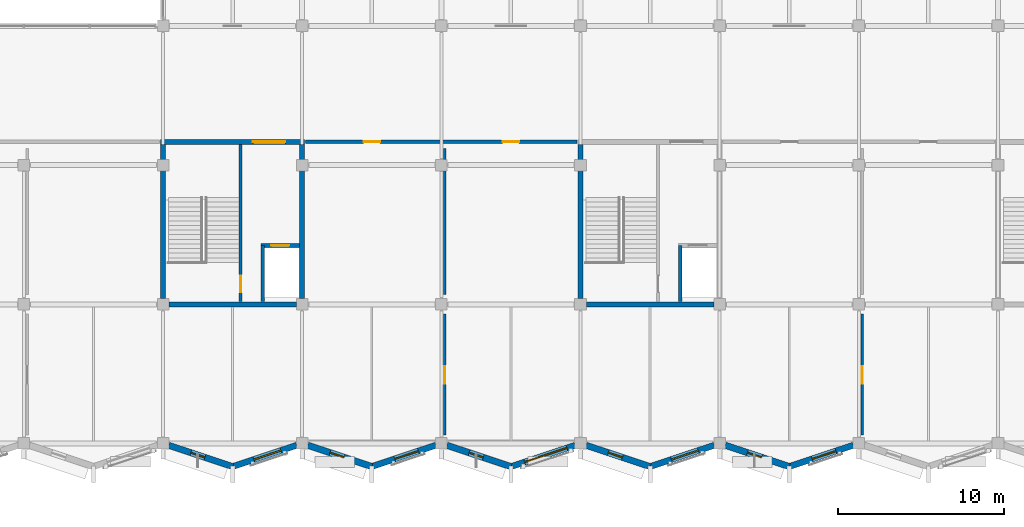
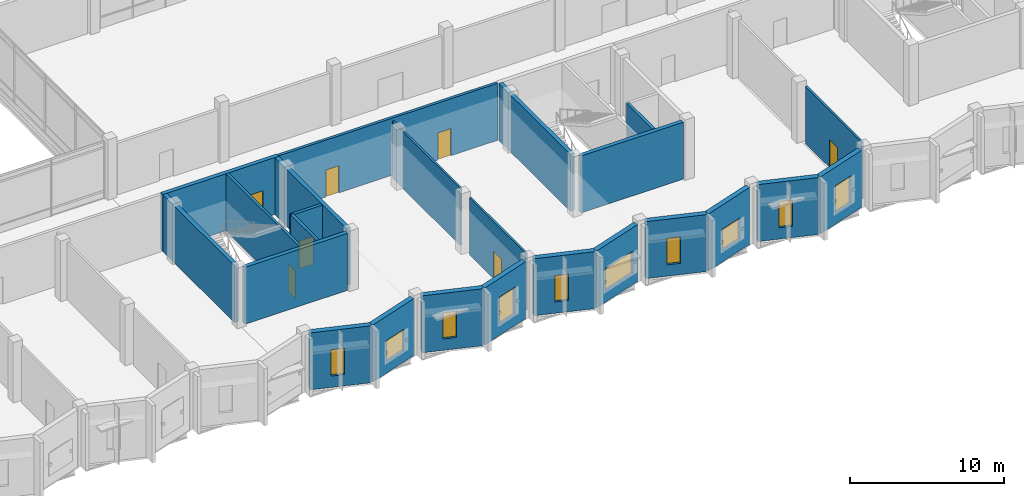
# One storey, part 85 of 110: 24 walls, 10 windows, 7 doors, 17 openings.
"""IFC4 building model written with IfcOpenShell, lengths in metres."""

from ifc_helpers import new_model, si_unit, direction, frame, frame_2d, origin, place, context, subcontext, project, spatial, rectangle, extrude, material, layer, layer_set, type_object, element, fill, save


model = new_model("IFC4")

# Units and contexts
model_context = context("Model", 3, precision=1e-05, world=origin(), true_north=direction((0.0, 1.0)))
body_context = subcontext(model_context, "Body", "Model", "MODEL_VIEW")
ifc_project = project(units=[si_unit("LENGTHUNIT", "METRE"), si_unit("AREAUNIT", "SQUARE_METRE"), si_unit("VOLUMEUNIT", "CUBIC_METRE"), si_unit("PLANEANGLEUNIT", "RADIAN"), si_unit("MASSUNIT", "GRAM", prefix="KILO")], contexts=[model_context])

# Site, building, storey
site_placement = place(None, origin())
site = spatial("IfcSite", under=ifc_project, at=site_placement, CompositionType="ELEMENT")
building_placement = place(site_placement, origin())
building = spatial("IfcBuilding", under=site, at=building_placement, Name="Qawsi Khor Wholesale Market", CompositionType="ELEMENT")
storey_placement = place(building_placement, frame((0.0, 0.0, 11.39990234375)))
storey = spatial("IfcBuildingStorey", under=building, at=storey_placement, Name="L02", CompositionType="ELEMENT", Elevation=11.39990234375)

# Walls
ifc_material_1 = material(Name="Concrete C40/50", Category="concrete")
ifc_layer_1 = layer(ifc_material_1, 0.300048828125, Name="Concrete C40/50")
ifc_layer_set_1 = layer_set([ifc_layer_1], Name="Concrete C40/50")
wall_type_1 = type_object("IfcWallType", Name="Core Shear Wall RC 300 C40/50", PredefinedType="SHEAR", material=ifc_layer_set_1)
wall_1_placement = place(storey_placement, frame((75.2451171875, 8.39990234375, 0.0), z_axis=(0.0, 0.0, 1.0), x_axis=(-1.0, 0.0, 0.0)))
element("IfcWall", 1, at=wall_1_placement, inside=storey, type_object=wall_type_1, Name="Core C02 south shear wall L02", PredefinedType="SHEAR", context=body_context, shape_type="SweptSolid", body=[
    extrude(rectangle(XDim=7.690185546875, YDim=0.300048828125, at=frame_2d((3.84521484375, 0.0))), origin(), (0.0, 0.0, 1.0), 4.52001953125),
])
wall_2_placement = place(storey_placement, frame((67.199951171875, 8.7548828125, 0.0), z_axis=(0.0, 0.0, 1.0), x_axis=(0.0, 1.0, 0.0)))
element("IfcWall", 2, at=wall_2_placement, inside=storey, type_object=wall_type_1, Name="Core C02 west shear wall L02", PredefinedType="SHEAR", context=body_context, shape_type="SweptSolid", body=[
    extrude(rectangle(XDim=9.295166015625, YDim=0.300048828125, at=frame_2d((4.6474609375, 0.0))), origin(), (0.0, 0.0, 1.0), 4.52001953125),
])

# Wall, opening, door
wall_3_placement = place(storey_placement, frame((67.050048828125, 18.199951171875, 0.0), z_axis=(0.0, 0.0, 1.0), x_axis=(1.0, 0.0, 0.0)))
wall_3 = element("IfcWall", 3, at=wall_3_placement, inside=storey, type_object=wall_type_1, Name="Core C02 north shear wall L02", PredefinedType="SHEAR", context=body_context, shape_type="SweptSolid", body=[
    extrude(rectangle(XDim=8.699951171875, YDim=0.300048828125, at=frame_2d((4.35009765625, 0.0))), origin(), (0.0, 0.0, 1.0), 4.52001953125),
])
opening_1_placement = place(wall_3_placement, frame((5.570068359375, 0.0, 0.0)))
opening_1 = element("IfcOpeningElement", 4, at=opening_1_placement, cuts=wall_3, Name="Opening ID-01", PredefinedType="OPENING", context=body_context, shape_type="SweptSolid", body=[
    extrude(rectangle(XDim=1.9599609375, YDim=2.199951171875, at=frame_2d((0.97998046875, 1.10009765625))), frame((0.0, 0.159912109375, 0.0), z_axis=(0.0, -1.0, 0.0), x_axis=(1.0, 0.0, 0.0)), (0.0, 0.0, 1.0), 0.320068359375),
])
ifc_material_2 = material(Name="Steel Fire Door", Category="steel")
door_type_1 = type_object("IfcDoorType", Name="Stair & Core Fire Door 1960x2200 FD90S", OperationType="NOTDEFINED", PredefinedType="DOOR", material=ifc_material_2)
door_1_placement = place(opening_1_placement, origin())
door_1 = element("IfcDoor", 5, at=door_1_placement, inside=storey, type_object=door_type_1, Name="Core C02 fire door L02", OperationType="DOUBLE_DOOR_SINGLE_SWING", OverallHeight=2.199951171875, OverallWidth=1.9599609375, PredefinedType="DOOR", context=body_context, shape_type="SweptSolid", body=[
    extrude(rectangle(XDim=1.9599609375, YDim=2.199951171875, at=frame_2d((0.97998046875, 1.10009765625))), frame((0.0, 0.02490234375, 0.0), z_axis=(0.0, -1.0, 0.0), x_axis=(1.0, 0.0, 0.0)), (0.0, 0.0, 1.0), 0.050048828125),
])
fill(opening_1, door_1)

# Walls
wall_4_placement = place(storey_placement, frame((75.60009765625, 18.050048828125, 0.0), z_axis=(0.0, 0.0, 1.0), x_axis=(0.0, -1.0, 0.0)))
element("IfcWall", 6, at=wall_4_placement, inside=storey, type_object=wall_type_1, Name="Core C02 east shear wall L02", PredefinedType="SHEAR", context=body_context, shape_type="SweptSolid", body=[
    extrude(rectangle(XDim=9.295166015625, YDim=0.300048828125, at=frame_2d((4.6474609375, 0.0))), origin(), (0.0, 0.0, 1.0), 4.52001953125),
])
wall_5_placement = place(storey_placement, frame((100.445068359375, 8.39990234375, 0.0), z_axis=(0.0, 0.0, 1.0), x_axis=(-1.0, 0.0, 0.0)))
element("IfcWall", 7, at=wall_5_placement, inside=storey, type_object=wall_type_1, Name="Core C03 south shear wall L02", PredefinedType="SHEAR", context=body_context, shape_type="SweptSolid", body=[
    extrude(rectangle(XDim=7.690185546875, YDim=0.300048828125, at=frame_2d((3.84521484375, 0.0))), origin(), (0.0, 0.0, 1.0), 4.52001953125),
])
wall_6_placement = place(storey_placement, frame((92.39990234375, 8.7548828125, 0.0), z_axis=(0.0, 0.0, 1.0), x_axis=(0.0, 1.0, 0.0)))
element("IfcWall", 8, at=wall_6_placement, inside=storey, type_object=wall_type_1, Name="Core C03 west shear wall L02", PredefinedType="SHEAR", context=body_context, shape_type="SweptSolid", body=[
    extrude(rectangle(XDim=9.295166015625, YDim=0.300048828125, at=frame_2d((4.6474609375, 0.0))), origin(), (0.0, 0.0, 1.0), 4.52001953125),
])

# Wall, openings, doors
ifc_material_3 = material(Name="Gypsum Fireboard on Steel Stud", Category="steel")
ifc_layer_2 = layer(ifc_material_3, 0.2099609375, Name="Gypsum Fireboard on Steel Stud")
ifc_layer_set_2 = layer_set([ifc_layer_2], Name="Gypsum Fireboard on Steel Stud")
wall_type_2 = type_object("IfcWallType", Name="Corridor Fire Partition Wall 210", PredefinedType="PARTITIONING", material=ifc_layer_set_2)
wall_7_placement = place(storey_placement, frame((75.800048828125, 18.199951171875, 0.0), z_axis=(0.0, 0.0, 1.0), x_axis=(1.0, 0.0, 0.0)))
wall_7 = element("IfcWall", 9, at=wall_7_placement, inside=storey, type_object=wall_type_2, Name="PW-L02-078", PredefinedType="PARTITIONING", context=body_context, shape_type="SweptSolid", body=[
    extrude(rectangle(XDim=16.39990234375, YDim=0.2099609375, at=frame_2d((8.199951171875, 0.0))), origin(), (0.0, 0.0, 1.0), 4.52001953125),
])
opening_2_placement = place(wall_7_placement, frame((3.5, 0.0, 0.0)))
opening_2 = element("IfcOpeningElement", 10, at=opening_2_placement, cuts=wall_7, Name="Opening ID-06", PredefinedType="OPENING", context=body_context, shape_type="SweptSolid", body=[
    extrude(rectangle(XDim=1.0, YDim=2.14990234375, at=frame_2d((0.5, 1.074951171875))), frame((0.0, 0.114990234375, 0.0), z_axis=(0.0, -1.0, 0.0), x_axis=(1.0, 0.0, 0.0)), (0.0, 0.0, 1.0), 0.22998046875),
])
opening_3_placement = place(wall_7_placement, frame((11.89990234375, 0.0, 0.0)))
opening_3 = element("IfcOpeningElement", 11, at=opening_3_placement, cuts=wall_7, Name="Opening ID-06", PredefinedType="OPENING", context=body_context, shape_type="SweptSolid", body=[
    extrude(rectangle(XDim=1.0, YDim=2.14990234375, at=frame_2d((0.5, 1.074951171875))), frame((0.0, 0.114990234375, 0.0), z_axis=(0.0, -1.0, 0.0), x_axis=(1.0, 0.0, 0.0)), (0.0, 0.0, 1.0), 0.22998046875),
])
ifc_material_4 = material(Name="Hardwood Timber Veneer", Category="wood")
door_type_2 = type_object("IfcDoorType", Name="Traders Office Single Door 1000x2150", OperationType="NOTDEFINED", PredefinedType="DOOR", material=ifc_material_4)
door_2_placement = place(opening_2_placement, origin())
door_2 = element("IfcDoor", 12, at=door_2_placement, inside=storey, type_object=door_type_2, Name="Traders Office Single Door 1000x2150 L02-084", OperationType="SINGLE_SWING_LEFT", OverallHeight=2.14990234375, OverallWidth=1.0, PredefinedType="DOOR", context=body_context, shape_type="SweptSolid", body=[
    extrude(rectangle(XDim=1.0, YDim=2.14990234375, at=frame_2d((0.5, 1.074951171875))), frame((0.0, 0.02490234375, 0.0), z_axis=(0.0, -1.0, 0.0), x_axis=(1.0, 0.0, 0.0)), (0.0, 0.0, 1.0), 0.050048828125),
])
fill(opening_2, door_2)
door_3_placement = place(opening_3_placement, origin())
door_3 = element("IfcDoor", 13, at=door_3_placement, inside=storey, type_object=door_type_2, Name="Traders Office Single Door 1000x2150 L02-085", OperationType="SINGLE_SWING_RIGHT", OverallHeight=2.14990234375, OverallWidth=1.0, PredefinedType="DOOR", context=body_context, shape_type="SweptSolid", body=[
    extrude(rectangle(XDim=1.0, YDim=2.14990234375, at=frame_2d((0.5, 1.074951171875))), frame((0.0, 0.02490234375, 0.0), z_axis=(0.0, -1.0, 0.0), x_axis=(1.0, 0.0, 0.0)), (0.0, 0.0, 1.0), 0.050048828125),
])
fill(opening_3, door_3)

# Wall
ifc_layer_3 = layer(ifc_material_1, 0.219970703125, Name="Concrete C40/50")
ifc_layer_set_3 = layer_set([ifc_layer_3], Name="Concrete C40/50")
wall_type_3 = type_object("IfcWallType", Name="Lift & Stair Shaft Wall RC 220", PredefinedType="SOLIDWALL", material=ifc_layer_set_3)
wall_8_placement = place(storey_placement, frame((73.2099609375, 8.56005859375, 0.0), z_axis=(0.0, 0.0, 1.0), x_axis=(0.0, 1.0, 0.0)))
element("IfcWall", 14, at=wall_8_placement, inside=storey, type_object=wall_type_3, Name="Lift PL-01 shaft wall W L02", PredefinedType="SOLIDWALL", context=body_context, shape_type="SweptSolid", body=[
    extrude(rectangle(XDim=3.389892578125, YDim=0.219970703125, at=frame_2d((1.69482421875, 0.0))), origin(), (0.0, 0.0, 1.0), 4.52001953125),
])

# Wall, opening, door
wall_9_placement = place(storey_placement, frame((73.10009765625, 11.949951171875, 0.0), z_axis=(0.0, 0.0, 1.0), x_axis=(1.0, 0.0, 0.0)))
wall_9 = element("IfcWall", 15, at=wall_9_placement, inside=storey, type_object=wall_type_3, Name="Lift PL-01 shaft wall N L02", PredefinedType="SOLIDWALL", context=body_context, shape_type="SweptSolid", body=[
    extrude(rectangle(XDim=2.33984375, YDim=0.219970703125, at=frame_2d((1.169921875, 0.0))), origin(), (0.0, 0.0, 1.0), 4.52001953125),
])
opening_4_placement = place(wall_9_placement, frame((0.6201171875, 0.0, 0.0)))
opening_4 = element("IfcOpeningElement", 16, at=opening_4_placement, cuts=wall_9, Name="Opening LD-P110", PredefinedType="OPENING", context=body_context, shape_type="SweptSolid", body=[
    extrude(rectangle(XDim=1.10009765625, YDim=2.199951171875, at=frame_2d((0.550048828125, 1.10009765625))), frame((0.0, 0.119873046875, 0.0), z_axis=(0.0, -1.0, 0.0), x_axis=(1.0, 0.0, 0.0)), (0.0, 0.0, 1.0), 0.239990234375),
])
ifc_material_5 = material(Name="Brushed Stainless Steel", Category="steel")
door_type_3 = type_object("IfcDoorType", Name="Passenger Lift Landing Sliding Door 1100x2200 FD90S", OperationType="NOTDEFINED", PredefinedType="DOOR", material=ifc_material_5)
door_4_placement = place(opening_4_placement, origin())
door_4 = element("IfcDoor", 17, at=door_4_placement, inside=storey, type_object=door_type_3, Name="Lift PL-01 landing door L02", OperationType="SLIDING_TO_LEFT", OverallHeight=2.199951171875, OverallWidth=1.10009765625, PredefinedType="DOOR", context=body_context, shape_type="SweptSolid", body=[
    extrude(rectangle(XDim=1.10009765625, YDim=2.199951171875, at=frame_2d((0.550048828125, 1.10009765625))), frame((0.0, 0.02490234375, 0.0), z_axis=(0.0, -1.0, 0.0), x_axis=(1.0, 0.0, 0.0)), (0.0, 0.0, 1.0), 0.050048828125),
])
fill(opening_4, door_4)

# Wall
wall_10_placement = place(storey_placement, frame((98.409912109375, 8.56005859375, 0.0), z_axis=(0.0, 0.0, 1.0), x_axis=(0.0, 1.0, 0.0)))
element("IfcWall", 18, at=wall_10_placement, inside=storey, type_object=wall_type_3, Name="Lift PL-02 shaft wall W L02", PredefinedType="SOLIDWALL", context=body_context, shape_type="SweptSolid", body=[
    extrude(rectangle(XDim=3.389892578125, YDim=0.219970703125, at=frame_2d((1.69482421875, 0.0))), origin(), (0.0, 0.0, 1.0), 4.52001953125),
])

# Wall, opening, door
ifc_material_6 = material(Name="Gypsum Board on Metal Stud", Category="gypsum")
ifc_layer_4 = layer(ifc_material_6, 0.14990234375, Name="Gypsum Board on Metal Stud")
ifc_layer_set_4 = layer_set([ifc_layer_4], Name="Gypsum Board on Metal Stud")
wall_type_4 = type_object("IfcWallType", Name="Office Partition Wall 150", PredefinedType="PARTITIONING", material=ifc_layer_set_4)
wall_11_placement = place(storey_placement, frame((84.199951171875, 0.5, 0.0), z_axis=(0.0, 0.0, 1.0), x_axis=(0.0, 1.0, 0.0)))
wall_11 = element("IfcWall", 19, at=wall_11_placement, inside=storey, type_object=wall_type_4, Name="PW-L02-079", PredefinedType="PARTITIONING", context=body_context, shape_type="SweptSolid", body=[
    extrude(rectangle(XDim=7.300048828125, YDim=0.14990234375, at=frame_2d((3.64990234375, 0.0))), origin(), (0.0, 0.0, 1.0), 4.52001953125),
])
opening_5_placement = place(wall_11_placement, frame((3.10009765625, 0.0, 0.0)))
opening_5 = element("IfcOpeningElement", 20, at=opening_5_placement, cuts=wall_11, Name="Opening ID-07", PredefinedType="OPENING", context=body_context, shape_type="SweptSolid", body=[
    extrude(rectangle(XDim=1.06005859375, YDim=2.179931640625, at=frame_2d((0.530029296875, 1.08984375))), frame((0.0, 0.0849609375, 0.0), z_axis=(0.0, -1.0, 0.0), x_axis=(1.0, 0.0, 0.0)), (0.0, 0.0, 1.0), 0.169921875),
])
door_type_4 = type_object("IfcDoorType", Name="Clearinghouse Suite Door 1060x2180", OperationType="NOTDEFINED", PredefinedType="DOOR", material=ifc_material_4)
door_5_placement = place(opening_5_placement, origin())
door_5 = element("IfcDoor", 21, at=door_5_placement, inside=storey, type_object=door_type_4, Name="Clearinghouse Suite Door 1060x2180 L02-086", OperationType="SINGLE_SWING_RIGHT", OverallHeight=2.179931640625, OverallWidth=1.06005859375, PredefinedType="DOOR", context=body_context, shape_type="SweptSolid", body=[
    extrude(rectangle(XDim=1.06005859375, YDim=2.179931640625, at=frame_2d((0.530029296875, 1.08984375))), frame((0.0, 0.02490234375, 0.0), z_axis=(0.0, -1.0, 0.0), x_axis=(1.0, 0.0, 0.0)), (0.0, 0.0, 1.0), 0.050048828125),
])
fill(opening_5, door_5)

# Wall
wall_12_placement = place(storey_placement, frame((84.199951171875, 9.0, 0.0), z_axis=(0.0, 0.0, 1.0), x_axis=(0.0, 1.0, 0.0)))
element("IfcWall", 22, at=wall_12_placement, inside=storey, type_object=wall_type_4, Name="PW-L02-080", PredefinedType="PARTITIONING", context=body_context, shape_type="SweptSolid", body=[
    extrude(rectangle(XDim=8.800048828125, YDim=0.14990234375, at=frame_2d((4.39990234375, 0.0))), origin(), (0.0, 0.0, 1.0), 4.52001953125),
])

# Wall, opening, door
wall_13_placement = place(storey_placement, frame((109.39990234375, 0.5, 0.0), z_axis=(0.0, 0.0, 1.0), x_axis=(0.0, 1.0, 0.0)))
wall_13 = element("IfcWall", 23, at=wall_13_placement, inside=storey, type_object=wall_type_4, Name="PW-L02-082", PredefinedType="PARTITIONING", context=body_context, shape_type="SweptSolid", body=[
    extrude(rectangle(XDim=7.300048828125, YDim=0.14990234375, at=frame_2d((3.64990234375, 0.0))), origin(), (0.0, 0.0, 1.0), 4.52001953125),
])
opening_6_placement = place(wall_13_placement, frame((3.10009765625, 0.0, 0.0)))
opening_6 = element("IfcOpeningElement", 24, at=opening_6_placement, cuts=wall_13, Name="Opening ID-07", PredefinedType="OPENING", context=body_context, shape_type="SweptSolid", body=[
    extrude(rectangle(XDim=1.06005859375, YDim=2.179931640625, at=frame_2d((0.530029296875, 1.08984375))), frame((0.0, 0.0849609375, 0.0), z_axis=(0.0, -1.0, 0.0), x_axis=(1.0, 0.0, 0.0)), (0.0, 0.0, 1.0), 0.169921875),
])
door_6_placement = place(opening_6_placement, origin())
door_6 = element("IfcDoor", 25, at=door_6_placement, inside=storey, type_object=door_type_4, Name="Clearinghouse Suite Door 1060x2180 L02-089", OperationType="SINGLE_SWING_RIGHT", OverallHeight=2.179931640625, OverallWidth=1.06005859375, PredefinedType="DOOR", context=body_context, shape_type="SweptSolid", body=[
    extrude(rectangle(XDim=1.06005859375, YDim=2.179931640625, at=frame_2d((0.530029296875, 1.08984375))), frame((0.0, 0.02490234375, 0.0), z_axis=(0.0, -1.0, 0.0), x_axis=(1.0, 0.0, 0.0)), (0.0, 0.0, 1.0), 0.050048828125),
])
fill(opening_6, door_6)

ifc_layer_5 = layer(ifc_material_1, 0.18994140625, Name="Concrete C40/50")
ifc_layer_set_5 = layer_set([ifc_layer_5], Name="Concrete C40/50")
wall_type_5 = type_object("IfcWallType", Name="Stairwell Enclosure Wall RC 190", PredefinedType="SOLIDWALL", material=ifc_layer_set_5)
wall_14_placement = place(storey_placement, frame((71.8798828125, 8.56005859375, 0.0), z_axis=(0.0, 0.0, 1.0), x_axis=(0.0, 1.0, 0.0)))
wall_14 = element("IfcWall", 26, at=wall_14_placement, inside=storey, type_object=wall_type_5, Name="Core C02 stairwell enclosure wall L02", PredefinedType="SOLIDWALL", context=body_context, shape_type="SweptSolid", body=[
    extrude(rectangle(XDim=9.47998046875, YDim=0.18994140625, at=frame_2d((4.739990234375, 0.0))), origin(), (0.0, 0.0, 1.0), 4.52001953125),
])
opening_7_placement = place(wall_14_placement, frame((0.580078125, 0.0, 0.0)))
opening_7 = element("IfcOpeningElement", 27, at=opening_7_placement, cuts=wall_14, Name="Opening ID-17", PredefinedType="OPENING", context=body_context, shape_type="SweptSolid", body=[
    extrude(rectangle(XDim=0.97998046875, YDim=2.14990234375, at=frame_2d((0.489990234375, 1.074951171875))), frame((0.0, 0.10498046875, 0.0), z_axis=(0.0, -1.0, 0.0), x_axis=(1.0, 0.0, 0.0)), (0.0, 0.0, 1.0), 0.2099609375),
])
door_type_5 = type_object("IfcDoorType", Name="Core Stair Lobby Fire Door 980x2150 FD120S", OperationType="NOTDEFINED", PredefinedType="DOOR", material=ifc_material_2)
door_7_placement = place(opening_7_placement, origin())
door_7 = element("IfcDoor", 28, at=door_7_placement, inside=storey, type_object=door_type_5, Name="Core C02 stair enclosure fire door L02", OperationType="SINGLE_SWING_LEFT", OverallHeight=2.14990234375, OverallWidth=0.97998046875, PredefinedType="DOOR", context=body_context, shape_type="SweptSolid", body=[
    extrude(rectangle(XDim=0.97998046875, YDim=2.14990234375, at=frame_2d((0.489990234375, 1.074951171875))), frame((0.0, 0.02490234375, 0.0), z_axis=(0.0, -1.0, 0.0), x_axis=(1.0, 0.0, 0.0)), (0.0, 0.0, 1.0), 0.050048828125),
])
fill(opening_7, door_7)

# Wall, opening, window
ifc_layer_6 = layer(ifc_material_1, 0.3701171875, Name="Concrete C40/50")
ifc_layer_set_6 = layer_set([ifc_layer_6], Name="Concrete C40/50")
wall_type_6 = type_object("IfcWallType", Name="Turned-Bay Concrete Facade Wall 370", PredefinedType="SOLIDWALL", material=ifc_layer_set_6)
wall_15_placement = place(storey_placement, frame((75.26318359375, -0.1123046875, 0.0), z_axis=(0.0, 0.0, 1.0), x_axis=(-0.948695287956, -0.316191794027, 0.0)))
wall_15 = element("IfcWall", 29, at=wall_15_placement, inside=storey, type_object=wall_type_6, Name="EW-L02-SBAY-12", PredefinedType="SOLIDWALL", context=body_context, shape_type="SweptSolid", body=[
    extrude(rectangle(XDim=4.072265625, YDim=0.3701171875, at=frame_2d((2.0361328125, 0.0))), origin(), (0.0, 0.0, 1.0), 4.52001953125),
])
opening_8_placement = place(wall_15_placement, frame((0.998046875, 0.0, 0.89990234375)))
opening_8 = element("IfcOpeningElement", 30, at=opening_8_placement, cuts=wall_15, Name="Opening W-23", PredefinedType="OPENING", context=body_context, shape_type="SweptSolid", body=[
    extrude(rectangle(XDim=1.719970703125, YDim=1.699951171875, at=frame_2d((0.85986328125, 0.85009765625))), frame((0.0, 0.195068359375, 0.0), z_axis=(0.0, -1.0, 0.0), x_axis=(1.0, 0.0, 0.0)), (0.0, 0.0, 1.0), 0.39013671875),
])
ifc_material_7 = material(Name="Thermally Broken Aluminium & Low-E Glass", Category="aluminium")
window_type_1 = type_object("IfcWindowType", Name="Win W-23 East Office Punched 1720x1700", PartitioningType="SINGLE_PANEL", PredefinedType="WINDOW", material=ifc_material_7)
window_1_placement = place(opening_8_placement, origin())
window_1 = element("IfcWindow", 31, at=window_1_placement, inside=storey, type_object=window_type_1, Name="Win W-23 East Office Punched 1720x1700 052", OverallHeight=1.699951171875, OverallWidth=1.719970703125, PartitioningType="SINGLE_PANEL", PredefinedType="WINDOW", context=body_context, shape_type="SweptSolid", body=[
    extrude(rectangle(XDim=1.719970703125, YDim=1.699951171875, at=frame_2d((0.85986328125, 0.85009765625))), frame((0.0, 0.030029296875, 0.0), z_axis=(0.0, -1.0, 0.0), x_axis=(1.0, 0.0, 0.0)), (0.0, 0.0, 1.0), 0.06005859375),
])
fill(opening_8, window_1)

wall_16_placement = place(storey_placement, frame((83.6630859375, -0.1123046875, 0.0), z_axis=(0.0, 0.0, 1.0), x_axis=(-0.948689293515, -0.316209779056, 0.0)))
wall_16 = element("IfcWall", 32, at=wall_16_placement, inside=storey, type_object=wall_type_6, Name="EW-L02-SBAY-14", PredefinedType="SOLIDWALL", context=body_context, shape_type="SweptSolid", body=[
    extrude(rectangle(XDim=4.072021484375, YDim=0.3701171875, at=frame_2d((2.0361328125, 0.0))), origin(), (0.0, 0.0, 1.0), 4.52001953125),
])
opening_9_placement = place(wall_16_placement, frame((1.10791015625, 0.0, 0.89990234375)))
opening_9 = element("IfcOpeningElement", 33, at=opening_9_placement, cuts=wall_16, Name="Opening W-04", PredefinedType="OPENING", context=body_context, shape_type="SweptSolid", body=[
    extrude(rectangle(XDim=1.5, YDim=2.14990234375, at=frame_2d((0.75, 1.074951171875))), frame((0.0, 0.195068359375, 0.0), z_axis=(0.0, -1.0, 0.0), x_axis=(1.0, 0.0, 0.0)), (0.0, 0.0, 1.0), 0.39013671875),
])
window_type_2 = type_object("IfcWindowType", Name="Win W-04 Turned-Bay Wide 1500x2150", PartitioningType="SINGLE_PANEL", PredefinedType="WINDOW", material=ifc_material_7)
window_2_placement = place(opening_9_placement, origin())
window_2 = element("IfcWindow", 34, at=window_2_placement, inside=storey, type_object=window_type_2, Name="Win W-04 Turned-Bay Wide 1500x2150 054", OverallHeight=2.14990234375, OverallWidth=1.5, PartitioningType="SINGLE_PANEL", PredefinedType="WINDOW", context=body_context, shape_type="SweptSolid", body=[
    extrude(rectangle(XDim=1.5, YDim=2.14990234375, at=frame_2d((0.75, 1.074951171875))), frame((0.0, 0.030029296875, 0.0), z_axis=(0.0, -1.0, 0.0), x_axis=(1.0, 0.0, 0.0)), (0.0, 0.0, 1.0), 0.06005859375),
])
fill(opening_9, window_2)

wall_17_placement = place(storey_placement, frame((92.063232421875, -0.1123046875, 0.0), z_axis=(0.0, 0.0, 1.0), x_axis=(-0.948695287956, -0.316191794027, 0.0)))
wall_17 = element("IfcWall", 35, at=wall_17_placement, inside=storey, type_object=wall_type_6, Name="EW-L02-SBAY-16", PredefinedType="SOLIDWALL", context=body_context, shape_type="SweptSolid", body=[
    extrude(rectangle(XDim=4.072265625, YDim=0.3701171875, at=frame_2d((2.0361328125, 0.0))), origin(), (0.0, 0.0, 1.0), 4.52001953125),
])
opening_10_placement = place(wall_17_placement, frame((0.508056640625, 0.0, 0.89990234375)))
opening_10 = element("IfcOpeningElement", 36, at=opening_10_placement, cuts=wall_17, Name="Opening W-09", PredefinedType="OPENING", context=body_context, shape_type="SweptSolid", body=[
    extrude(rectangle(XDim=2.699951171875, YDim=1.75, at=frame_2d((1.35009765625, 0.875))), frame((0.0, 0.195068359375, 0.0), z_axis=(0.0, -1.0, 0.0), x_axis=(1.0, 0.0, 0.0)), (0.0, 0.0, 1.0), 0.39013671875),
])
window_type_3 = type_object("IfcWindowType", Name="Win W-09 Clearinghouse Wide 2700x1750", PartitioningType="SINGLE_PANEL", PredefinedType="WINDOW", material=ifc_material_7)
window_3_placement = place(opening_10_placement, origin())
window_3 = element("IfcWindow", 37, at=window_3_placement, inside=storey, type_object=window_type_3, Name="Win W-09 Clearinghouse Wide 2700x1750 056", OverallHeight=1.75, OverallWidth=2.699951171875, PartitioningType="SINGLE_PANEL", PredefinedType="WINDOW", context=body_context, shape_type="SweptSolid", body=[
    extrude(rectangle(XDim=2.699951171875, YDim=1.75, at=frame_2d((1.35009765625, 0.875))), frame((0.0, 0.030029296875, 0.0), z_axis=(0.0, -1.0, 0.0), x_axis=(1.0, 0.0, 0.0)), (0.0, 0.0, 1.0), 0.06005859375),
])
fill(opening_10, window_3)

wall_18_placement = place(storey_placement, frame((100.463134765625, -0.1123046875, 0.0), z_axis=(0.0, 0.0, 1.0), x_axis=(-0.948689293515, -0.316209779056, 0.0)))
wall_18 = element("IfcWall", 38, at=wall_18_placement, inside=storey, type_object=wall_type_6, Name="EW-L02-SBAY-18", PredefinedType="SOLIDWALL", context=body_context, shape_type="SweptSolid", body=[
    extrude(rectangle(XDim=4.072021484375, YDim=0.3701171875, at=frame_2d((2.0361328125, 0.0))), origin(), (0.0, 0.0, 1.0), 4.52001953125),
])
opening_11_placement = place(wall_18_placement, frame((0.998046875, 0.0, 0.89990234375)))
opening_11 = element("IfcOpeningElement", 39, at=opening_11_placement, cuts=wall_18, Name="Opening W-23", PredefinedType="OPENING", context=body_context, shape_type="SweptSolid", body=[
    extrude(rectangle(XDim=1.719970703125, YDim=1.699951171875, at=frame_2d((0.85986328125, 0.85009765625))), frame((0.0, 0.195068359375, 0.0), z_axis=(0.0, -1.0, 0.0), x_axis=(1.0, 0.0, 0.0)), (0.0, 0.0, 1.0), 0.39013671875),
])
window_4_placement = place(opening_11_placement, origin())
window_4 = element("IfcWindow", 40, at=window_4_placement, inside=storey, type_object=window_type_1, Name="Win W-23 East Office Punched 1720x1700 058", OverallHeight=1.699951171875, OverallWidth=1.719970703125, PartitioningType="SINGLE_PANEL", PredefinedType="WINDOW", context=body_context, shape_type="SweptSolid", body=[
    extrude(rectangle(XDim=1.719970703125, YDim=1.699951171875, at=frame_2d((0.85986328125, 0.85009765625))), frame((0.0, 0.030029296875, 0.0), z_axis=(0.0, -1.0, 0.0), x_axis=(1.0, 0.0, 0.0)), (0.0, 0.0, 1.0), 0.06005859375),
])
fill(opening_11, window_4)

wall_19_placement = place(storey_placement, frame((108.86328125, -0.1123046875, 0.0), z_axis=(0.0, 0.0, 1.0), x_axis=(-0.948695287956, -0.316191794027, 0.0)))
wall_19 = element("IfcWall", 41, at=wall_19_placement, inside=storey, type_object=wall_type_6, Name="EW-L02-SBAY-20", PredefinedType="SOLIDWALL", context=body_context, shape_type="SweptSolid", body=[
    extrude(rectangle(XDim=4.072265625, YDim=0.3701171875, at=frame_2d((2.0361328125, 0.0))), origin(), (0.0, 0.0, 1.0), 4.52001953125),
])
opening_12_placement = place(wall_19_placement, frame((1.10791015625, 0.0, 0.89990234375)))
opening_12 = element("IfcOpeningElement", 42, at=opening_12_placement, cuts=wall_19, Name="Opening W-04", PredefinedType="OPENING", context=body_context, shape_type="SweptSolid", body=[
    extrude(rectangle(XDim=1.5, YDim=2.14990234375, at=frame_2d((0.75, 1.074951171875))), frame((0.0, 0.195068359375, 0.0), z_axis=(0.0, -1.0, 0.0), x_axis=(1.0, 0.0, 0.0)), (0.0, 0.0, 1.0), 0.39013671875),
])
window_5_placement = place(opening_12_placement, origin())
window_5 = element("IfcWindow", 43, at=window_5_placement, inside=storey, type_object=window_type_2, Name="Win W-04 Turned-Bay Wide 1500x2150 060", OverallHeight=2.14990234375, OverallWidth=1.5, PartitioningType="SINGLE_PANEL", PredefinedType="WINDOW", context=body_context, shape_type="SweptSolid", body=[
    extrude(rectangle(XDim=1.5, YDim=2.14990234375, at=frame_2d((0.75, 1.074951171875))), frame((0.0, 0.030029296875, 0.0), z_axis=(0.0, -1.0, 0.0), x_axis=(1.0, 0.0, 0.0)), (0.0, 0.0, 1.0), 0.06005859375),
])
fill(opening_12, window_5)

ifc_layer_7 = layer(ifc_material_1, 0.389892578125, Name="Concrete C40/50")
ifc_layer_set_7 = layer_set([ifc_layer_7], Name="Concrete C40/50")
wall_type_7 = type_object("IfcWallType", Name="Turned-Bay Concrete Facade Wall 390", PredefinedType="SOLIDWALL", material=ifc_layer_set_7)
wall_20_placement = place(storey_placement, frame((71.39990234375, -1.39990234375, 0.0), z_axis=(0.0, 0.0, 1.0), x_axis=(-0.948689293515, 0.316209779056, 0.0)))
wall_20 = element("IfcWall", 44, at=wall_20_placement, inside=storey, type_object=wall_type_7, Name="EW-L02-SBAY-11", PredefinedType="SOLIDWALL", context=body_context, shape_type="SweptSolid", body=[
    extrude(rectangle(XDim=4.072021484375, YDim=0.389892578125, at=frame_2d((2.0361328125, 0.0))), origin(), (0.0, 0.0, 1.0), 4.52001953125),
])
opening_13_placement = place(wall_20_placement, frame((1.762939453125, 0.0, 0.89990234375)))
opening_13 = element("IfcOpeningElement", 45, at=opening_13_placement, cuts=wall_20, Name="Opening W-02", PredefinedType="OPENING", context=body_context, shape_type="SweptSolid", body=[
    extrude(rectangle(XDim=0.89990234375, YDim=2.10009765625, at=frame_2d((0.449951171875, 1.050048828125))), frame((0.0, 0.204833984375, 0.0), z_axis=(0.0, -1.0, 0.0), x_axis=(1.0, 0.0, 0.0)), (0.0, 0.0, 1.0), 0.409912109375),
])
window_type_4 = type_object("IfcWindowType", Name="Win W-02 Deep-Set Narrow 900x2100", PartitioningType="SINGLE_PANEL", PredefinedType="WINDOW", material=ifc_material_7)
window_6_placement = place(opening_13_placement, origin())
window_6 = element("IfcWindow", 46, at=window_6_placement, inside=storey, type_object=window_type_4, Name="Win W-02 Deep-Set Narrow 900x2100 051", OverallHeight=2.10009765625, OverallWidth=0.89990234375, PartitioningType="SINGLE_PANEL", PredefinedType="WINDOW", context=body_context, shape_type="SweptSolid", body=[
    extrude(rectangle(XDim=0.89990234375, YDim=2.10009765625, at=frame_2d((0.449951171875, 1.050048828125))), frame((0.0, 0.030029296875, 0.0), z_axis=(0.0, -1.0, 0.0), x_axis=(1.0, 0.0, 0.0)), (0.0, 0.0, 1.0), 0.06005859375),
])
fill(opening_13, window_6)

wall_21_placement = place(storey_placement, frame((79.800048828125, -1.39990234375, 0.0), z_axis=(0.0, 0.0, 1.0), x_axis=(-0.948695287956, 0.316191794027, 0.0)))
wall_21 = element("IfcWall", 47, at=wall_21_placement, inside=storey, type_object=wall_type_7, Name="EW-L02-SBAY-13", PredefinedType="SOLIDWALL", context=body_context, shape_type="SweptSolid", body=[
    extrude(rectangle(XDim=4.072265625, YDim=0.389892578125, at=frame_2d((2.0361328125, 0.0))), origin(), (0.0, 0.0, 1.0), 4.52001953125),
])
opening_14_placement = place(wall_21_placement, frame((1.762939453125, 0.0, 0.89990234375)))
opening_14 = element("IfcOpeningElement", 48, at=opening_14_placement, cuts=wall_21, Name="Opening W-02", PredefinedType="OPENING", context=body_context, shape_type="SweptSolid", body=[
    extrude(rectangle(XDim=0.89990234375, YDim=2.10009765625, at=frame_2d((0.449951171875, 1.050048828125))), frame((0.0, 0.204833984375, 0.0), z_axis=(0.0, -1.0, 0.0), x_axis=(1.0, 0.0, 0.0)), (0.0, 0.0, 1.0), 0.409912109375),
])
window_7_placement = place(opening_14_placement, origin())
window_7 = element("IfcWindow", 49, at=window_7_placement, inside=storey, type_object=window_type_4, Name="Win W-02 Deep-Set Narrow 900x2100 053", OverallHeight=2.10009765625, OverallWidth=0.89990234375, PartitioningType="SINGLE_PANEL", PredefinedType="WINDOW", context=body_context, shape_type="SweptSolid", body=[
    extrude(rectangle(XDim=0.89990234375, YDim=2.10009765625, at=frame_2d((0.449951171875, 1.050048828125))), frame((0.0, 0.030029296875, 0.0), z_axis=(0.0, -1.0, 0.0), x_axis=(1.0, 0.0, 0.0)), (0.0, 0.0, 1.0), 0.06005859375),
])
fill(opening_14, window_7)

wall_22_placement = place(storey_placement, frame((88.199951171875, -1.39990234375, 0.0), z_axis=(0.0, 0.0, 1.0), x_axis=(-0.948689293515, 0.316209779056, 0.0)))
wall_22 = element("IfcWall", 50, at=wall_22_placement, inside=storey, type_object=wall_type_7, Name="EW-L02-SBAY-15", PredefinedType="SOLIDWALL", context=body_context, shape_type="SweptSolid", body=[
    extrude(rectangle(XDim=4.072021484375, YDim=0.389892578125, at=frame_2d((2.0361328125, 0.0))), origin(), (0.0, 0.0, 1.0), 4.52001953125),
])
opening_15_placement = place(wall_22_placement, frame((1.762939453125, 0.0, 0.89990234375)))
opening_15 = element("IfcOpeningElement", 51, at=opening_15_placement, cuts=wall_22, Name="Opening W-02", PredefinedType="OPENING", context=body_context, shape_type="SweptSolid", body=[
    extrude(rectangle(XDim=0.89990234375, YDim=2.10009765625, at=frame_2d((0.449951171875, 1.050048828125))), frame((0.0, 0.204833984375, 0.0), z_axis=(0.0, -1.0, 0.0), x_axis=(1.0, 0.0, 0.0)), (0.0, 0.0, 1.0), 0.409912109375),
])
window_8_placement = place(opening_15_placement, origin())
window_8 = element("IfcWindow", 52, at=window_8_placement, inside=storey, type_object=window_type_4, Name="Win W-02 Deep-Set Narrow 900x2100 055", OverallHeight=2.10009765625, OverallWidth=0.89990234375, PartitioningType="SINGLE_PANEL", PredefinedType="WINDOW", context=body_context, shape_type="SweptSolid", body=[
    extrude(rectangle(XDim=0.89990234375, YDim=2.10009765625, at=frame_2d((0.449951171875, 1.050048828125))), frame((0.0, 0.030029296875, 0.0), z_axis=(0.0, -1.0, 0.0), x_axis=(1.0, 0.0, 0.0)), (0.0, 0.0, 1.0), 0.06005859375),
])
fill(opening_15, window_8)

wall_23_placement = place(storey_placement, frame((96.60009765625, -1.39990234375, 0.0), z_axis=(0.0, 0.0, 1.0), x_axis=(-0.948695287956, 0.316191794027, 0.0)))
wall_23 = element("IfcWall", 53, at=wall_23_placement, inside=storey, type_object=wall_type_7, Name="EW-L02-SBAY-17", PredefinedType="SOLIDWALL", context=body_context, shape_type="SweptSolid", body=[
    extrude(rectangle(XDim=4.072265625, YDim=0.389892578125, at=frame_2d((2.0361328125, 0.0))), origin(), (0.0, 0.0, 1.0), 4.52001953125),
])
opening_16_placement = place(wall_23_placement, frame((1.762939453125, 0.0, 0.89990234375)))
opening_16 = element("IfcOpeningElement", 54, at=opening_16_placement, cuts=wall_23, Name="Opening W-02", PredefinedType="OPENING", context=body_context, shape_type="SweptSolid", body=[
    extrude(rectangle(XDim=0.89990234375, YDim=2.10009765625, at=frame_2d((0.449951171875, 1.050048828125))), frame((0.0, 0.204833984375, 0.0), z_axis=(0.0, -1.0, 0.0), x_axis=(1.0, 0.0, 0.0)), (0.0, 0.0, 1.0), 0.409912109375),
])
window_9_placement = place(opening_16_placement, origin())
window_9 = element("IfcWindow", 55, at=window_9_placement, inside=storey, type_object=window_type_4, Name="Win W-02 Deep-Set Narrow 900x2100 057", OverallHeight=2.10009765625, OverallWidth=0.89990234375, PartitioningType="SINGLE_PANEL", PredefinedType="WINDOW", context=body_context, shape_type="SweptSolid", body=[
    extrude(rectangle(XDim=0.89990234375, YDim=2.10009765625, at=frame_2d((0.449951171875, 1.050048828125))), frame((0.0, 0.030029296875, 0.0), z_axis=(0.0, -1.0, 0.0), x_axis=(1.0, 0.0, 0.0)), (0.0, 0.0, 1.0), 0.06005859375),
])
fill(opening_16, window_9)

wall_24_placement = place(storey_placement, frame((105.0, -1.39990234375, 0.0), z_axis=(0.0, 0.0, 1.0), x_axis=(-0.948695287956, 0.316191794027, 0.0)))
wall_24 = element("IfcWall", 56, at=wall_24_placement, inside=storey, type_object=wall_type_7, Name="EW-L02-SBAY-19", PredefinedType="SOLIDWALL", context=body_context, shape_type="SweptSolid", body=[
    extrude(rectangle(XDim=4.072265625, YDim=0.389892578125, at=frame_2d((2.0361328125, 0.0))), origin(), (0.0, 0.0, 1.0), 4.52001953125),
])
opening_17_placement = place(wall_24_placement, frame((1.762939453125, 0.0, 0.89990234375)))
opening_17 = element("IfcOpeningElement", 57, at=opening_17_placement, cuts=wall_24, Name="Opening W-02", PredefinedType="OPENING", context=body_context, shape_type="SweptSolid", body=[
    extrude(rectangle(XDim=0.89990234375, YDim=2.10009765625, at=frame_2d((0.449951171875, 1.050048828125))), frame((0.0, 0.204833984375, 0.0), z_axis=(0.0, -1.0, 0.0), x_axis=(1.0, 0.0, 0.0)), (0.0, 0.0, 1.0), 0.409912109375),
])
window_10_placement = place(opening_17_placement, origin())
window_10 = element("IfcWindow", 58, at=window_10_placement, inside=storey, type_object=window_type_4, Name="Win W-02 Deep-Set Narrow 900x2100 059", OverallHeight=2.10009765625, OverallWidth=0.89990234375, PartitioningType="SINGLE_PANEL", PredefinedType="WINDOW", context=body_context, shape_type="SweptSolid", body=[
    extrude(rectangle(XDim=0.89990234375, YDim=2.10009765625, at=frame_2d((0.449951171875, 1.050048828125))), frame((0.0, 0.030029296875, 0.0), z_axis=(0.0, -1.0, 0.0), x_axis=(1.0, 0.0, 0.0)), (0.0, 0.0, 1.0), 0.06005859375),
])
fill(opening_17, window_10)

save(model, "model.ifc")
